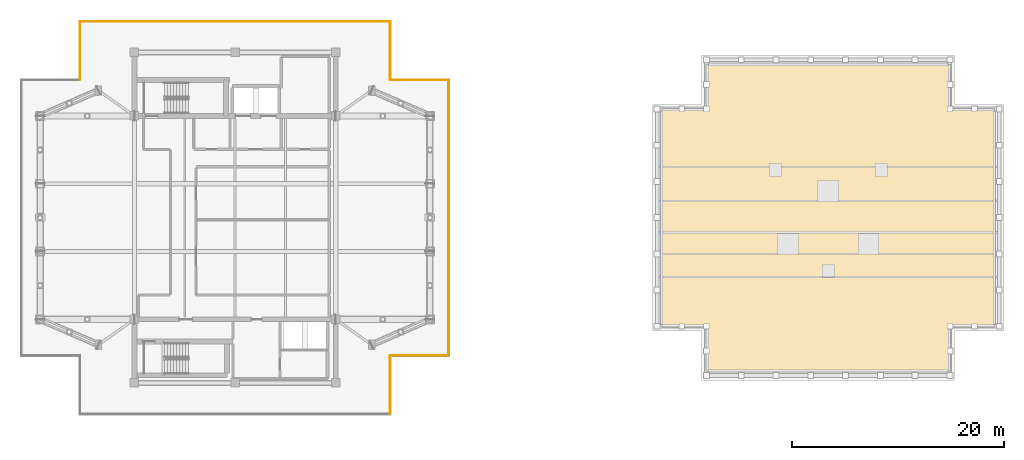
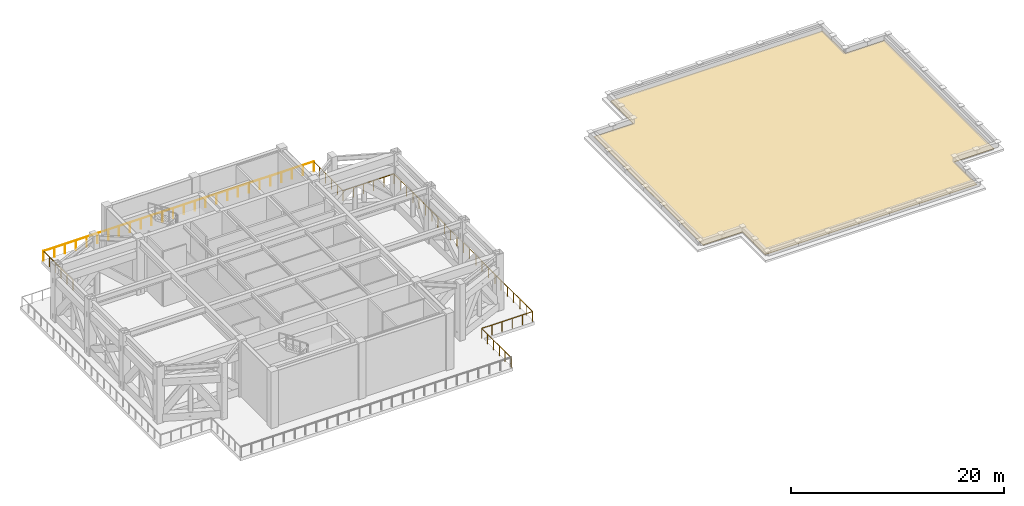
# One storey, part 11 of 11: 7 railings, 1 covering.
"""IFC4 building model written with IfcOpenShell, lengths in metres."""

from ifc_helpers import new_model, si_unit, direction, frame, origin, origin_2d, place, context, subcontext, project, spatial, polyline, circle, outline, extrude, material, layer, layer_set, type_object, element, save


model = new_model("IFC4")

# Units and contexts
model_context = context("Model", 3, precision=1e-05, world=origin(), true_north=direction((0.0, 1.0)))
body_context = subcontext(model_context, "Body", "Model", "MODEL_VIEW")
ifc_project = project(units=[si_unit("LENGTHUNIT", "METRE"), si_unit("AREAUNIT", "SQUARE_METRE"), si_unit("VOLUMEUNIT", "CUBIC_METRE"), si_unit("PLANEANGLEUNIT", "RADIAN"), si_unit("MASSUNIT", "GRAM", prefix="KILO")], contexts=[model_context])

# Site, building, storey
site_placement = place(None, origin())
site = spatial("IfcSite", under=ifc_project, at=site_placement, CompositionType="ELEMENT")
building_placement = place(site_placement, origin())
building = spatial("IfcBuilding", under=site, at=building_placement, Name="Mirazonda Arch Towers", CompositionType="ELEMENT")
storey_placement = place(building_placement, frame((0.0, 0.0, 212.89990234375)))
storey = spatial("IfcBuildingStorey", under=building, at=storey_placement, Name="L61", CompositionType="ELEMENT", Elevation=212.89990234375)

# Covering
ifc_material_1 = material(Name="EPDM Waterproofing Membrane")
ifc_layer = layer(ifc_material_1, 0.06005859375, Name="COV-ROOF-EPDM")
ifc_layer_set = layer_set([ifc_layer], Name="EPDM Waterproofing Membrane")
covering_type = type_object("IfcCoveringType", Name="COV-ROOF-EPDM", PredefinedType="ROOFING", material=ifc_layer_set)
covering_placement = place(storey_placement, origin())
element("IfcCovering", 1, at=covering_placement, inside=storey, type_object=covering_type, Name="T2 Crown Roof EPDM Membrane Covering", PredefinedType="ROOFING", context=body_context, shape_type="SweptSolid", body=[
    extrude(outline(polyline([(65.01220703125, 13.491455078125), (87.98779296875, 13.491455078125), (87.98779296875, 17.751220703125), (92.24755859375, 17.751220703125), (92.24755859375, 38.248779296875), (87.98779296875, 38.248779296875), (87.98779296875, 42.508544921875), (65.01220703125, 42.508544921875), (65.01220703125, 38.248779296875), (60.75244140625, 38.248779296875), (60.75244140625, 17.751220703125), (65.01220703125, 17.751220703125), (65.01220703125, 13.491455078125)])), origin(), (0.0, 0.0, 1.0), 0.06005859375),
])

# Railings
ifc_material_2 = material(Name="Architectural Brushed Steel S355", Category="steel")
railing_type = type_object("IfcRailingType", Name="GUARD-EXT-1150", PredefinedType="GUARDRAIL", material=ifc_material_2)
railing_1_placement = place(storey_placement, frame((35.14990234375, 9.47998046875, 0.0)))
element("IfcRailing", 2, at=railing_1_placement, inside=storey, type_object=railing_type, Name="L61 T1 Open Wind-Portal Perimeter Guard 02", PredefinedType="GUARDRAIL", context=body_context, shape_type="SweptSolid", body=[
    extrude(circle(Radius=0.02392578125, at=origin_2d()), frame((0.0, 0.0, 1.1259765625), z_axis=(0.0, 1.0, 0.0), x_axis=(-1.0, 0.0, 0.0)), (0.0, 0.0, 1.0), 5.510009765625),
    extrude(circle(Radius=0.02099609375, at=origin_2d()), origin(), (0.0, 0.0, 1.0), 1.101806640625),
    extrude(circle(Radius=0.02099609375, at=origin_2d()), frame((0.0, 1.10205078125, 0.0)), (0.0, 0.0, 1.0), 1.101806640625),
    extrude(circle(Radius=0.02099609375, at=origin_2d()), frame((0.0, 2.2041015625, 0.0)), (0.0, 0.0, 1.0), 1.101806640625),
    extrude(circle(Radius=0.02099609375, at=origin_2d()), frame((0.0, 3.305908203125, 0.0)), (0.0, 0.0, 1.0), 1.101806640625),
    extrude(circle(Radius=0.02099609375, at=origin_2d()), frame((0.0, 4.407958984375, 0.0)), (0.0, 0.0, 1.0), 1.101806640625),
    extrude(circle(Radius=0.02099609375, at=origin_2d()), frame((0.0, 5.510009765625, 0.0)), (0.0, 0.0, 1.0), 1.101806640625),
])
railing_2_placement = place(storey_placement, frame((35.14990234375, 14.989990234375, 0.0)))
element("IfcRailing", 3, at=railing_2_placement, inside=storey, type_object=railing_type, Name="L61 T1 Open Wind-Portal Perimeter Guard 03", PredefinedType="GUARDRAIL", context=body_context, shape_type="SweptSolid", body=[
    extrude(circle(Radius=0.02392578125, at=origin_2d()), frame((0.0, 0.0, 1.1259765625), z_axis=(1.0, 0.0, 0.0), x_axis=(0.0, 1.0, 0.0)), (0.0, 0.0, 1.0), 5.510009765625),
    extrude(circle(Radius=0.02099609375, at=origin_2d()), origin(), (0.0, 0.0, 1.0), 1.101806640625),
    extrude(circle(Radius=0.02099609375, at=origin_2d()), frame((1.10205078125, 0.0, 0.0)), (0.0, 0.0, 1.0), 1.101806640625),
    extrude(circle(Radius=0.02099609375, at=origin_2d()), frame((2.2041015625, 0.0, 0.0)), (0.0, 0.0, 1.0), 1.101806640625),
    extrude(circle(Radius=0.02099609375, at=origin_2d()), frame((3.305908203125, 0.0, 0.0)), (0.0, 0.0, 1.0), 1.101806640625),
    extrude(circle(Radius=0.02099609375, at=origin_2d()), frame((4.407958984375, 0.0, 0.0)), (0.0, 0.0, 1.0), 1.101806640625),
    extrude(circle(Radius=0.02099609375, at=origin_2d()), frame((5.510009765625, 0.0, 0.0)), (0.0, 0.0, 1.0), 1.101806640625),
])
railing_3_placement = place(storey_placement, frame((40.659912109375, 14.989990234375, 0.0)))
element("IfcRailing", 4, at=railing_3_placement, inside=storey, type_object=railing_type, Name="L61 T1 Open Wind-Portal Perimeter Guard 04", PredefinedType="GUARDRAIL", context=body_context, shape_type="SweptSolid", body=[
    extrude(circle(Radius=0.02392578125, at=origin_2d()), frame((0.0, 0.0, 1.1259765625), z_axis=(0.0, 1.0, 0.0), x_axis=(-1.0, 0.0, 0.0)), (0.0, 0.0, 1.0), 26.02001953125),
    extrude(circle(Radius=0.02099609375, at=origin_2d()), origin(), (0.0, 0.0, 1.0), 1.101806640625),
    extrude(circle(Radius=0.02099609375, at=origin_2d()), frame((0.0, 1.1826171875, 0.0)), (0.0, 0.0, 1.0), 1.101806640625),
    extrude(circle(Radius=0.02099609375, at=origin_2d()), frame((0.0, 2.365478515625, 0.0)), (0.0, 0.0, 1.0), 1.101806640625),
    extrude(circle(Radius=0.02099609375, at=origin_2d()), frame((0.0, 3.548095703125, 0.0)), (0.0, 0.0, 1.0), 1.101806640625),
    extrude(circle(Radius=0.02099609375, at=origin_2d()), frame((0.0, 4.73095703125, 0.0)), (0.0, 0.0, 1.0), 1.101806640625),
    extrude(circle(Radius=0.02099609375, at=origin_2d()), frame((0.0, 5.91357421875, 0.0)), (0.0, 0.0, 1.0), 1.101806640625),
    extrude(circle(Radius=0.02099609375, at=origin_2d()), frame((0.0, 7.096435546875, 0.0)), (0.0, 0.0, 1.0), 1.101806640625),
    extrude(circle(Radius=0.02099609375, at=origin_2d()), frame((0.0, 8.279052734375, 0.0)), (0.0, 0.0, 1.0), 1.101806640625),
    extrude(circle(Radius=0.02099609375, at=origin_2d()), frame((0.0, 9.4619140625, 0.0)), (0.0, 0.0, 1.0), 1.101806640625),
    extrude(circle(Radius=0.02099609375, at=origin_2d()), frame((0.0, 10.64453125, 0.0)), (0.0, 0.0, 1.0), 1.101806640625),
    extrude(circle(Radius=0.02099609375, at=origin_2d()), frame((0.0, 11.827392578125, 0.0)), (0.0, 0.0, 1.0), 1.101806640625),
    extrude(circle(Radius=0.02099609375, at=origin_2d()), frame((0.0, 13.010009765625, 0.0)), (0.0, 0.0, 1.0), 1.101806640625),
    extrude(circle(Radius=0.02099609375, at=origin_2d()), frame((0.0, 14.192626953125, 0.0)), (0.0, 0.0, 1.0), 1.101806640625),
    extrude(circle(Radius=0.02099609375, at=origin_2d()), frame((0.0, 15.37548828125, 0.0)), (0.0, 0.0, 1.0), 1.101806640625),
    extrude(circle(Radius=0.02099609375, at=origin_2d()), frame((0.0, 16.55810546875, 0.0)), (0.0, 0.0, 1.0), 1.101806640625),
    extrude(circle(Radius=0.02099609375, at=origin_2d()), frame((0.0, 17.740966796875, 0.0)), (0.0, 0.0, 1.0), 1.101806640625),
    extrude(circle(Radius=0.02099609375, at=origin_2d()), frame((0.0, 18.923583984375, 0.0)), (0.0, 0.0, 1.0), 1.101806640625),
    extrude(circle(Radius=0.02099609375, at=origin_2d()), frame((0.0, 20.1064453125, 0.0)), (0.0, 0.0, 1.0), 1.101806640625),
    extrude(circle(Radius=0.02099609375, at=origin_2d()), frame((0.0, 21.2890625, 0.0)), (0.0, 0.0, 1.0), 1.101806640625),
    extrude(circle(Radius=0.02099609375, at=origin_2d()), frame((0.0, 22.471923828125, 0.0)), (0.0, 0.0, 1.0), 1.101806640625),
    extrude(circle(Radius=0.02099609375, at=origin_2d()), frame((0.0, 23.654541015625, 0.0)), (0.0, 0.0, 1.0), 1.101806640625),
    extrude(circle(Radius=0.02099609375, at=origin_2d()), frame((0.0, 24.83740234375, 0.0)), (0.0, 0.0, 1.0), 1.101806640625),
    extrude(circle(Radius=0.02099609375, at=origin_2d()), frame((0.0, 26.02001953125, 0.0)), (0.0, 0.0, 1.0), 1.101806640625),
])
railing_4_placement = place(storey_placement, frame((40.659912109375, 41.010009765625, 0.0)))
element("IfcRailing", 5, at=railing_4_placement, inside=storey, type_object=railing_type, Name="L61 T1 Open Wind-Portal Perimeter Guard 05", PredefinedType="GUARDRAIL", context=body_context, shape_type="SweptSolid", body=[
    extrude(circle(Radius=0.02392578125, at=origin_2d()), frame((0.0, 0.0, 1.1259765625), z_axis=(-1.0, 0.0, 0.0), x_axis=(0.0, -1.0, 0.0)), (0.0, 0.0, 1.0), 5.510009765625),
    extrude(circle(Radius=0.02099609375, at=origin_2d()), origin(), (0.0, 0.0, 1.0), 1.101806640625),
    extrude(circle(Radius=0.02099609375, at=origin_2d()), frame((-1.10205078125, 0.0, 0.0)), (0.0, 0.0, 1.0), 1.101806640625),
    extrude(circle(Radius=0.02099609375, at=origin_2d()), frame((-2.2041015625, 0.0, 0.0)), (0.0, 0.0, 1.0), 1.101806640625),
    extrude(circle(Radius=0.02099609375, at=origin_2d()), frame((-3.305908203125, 0.0, 0.0)), (0.0, 0.0, 1.0), 1.101806640625),
    extrude(circle(Radius=0.02099609375, at=origin_2d()), frame((-4.407958984375, 0.0, 0.0)), (0.0, 0.0, 1.0), 1.101806640625),
    extrude(circle(Radius=0.02099609375, at=origin_2d()), frame((-5.510009765625, 0.0, 0.0)), (0.0, 0.0, 1.0), 1.101806640625),
])
railing_5_placement = place(storey_placement, frame((35.14990234375, 41.010009765625, 0.0)))
element("IfcRailing", 6, at=railing_5_placement, inside=storey, type_object=railing_type, Name="L61 T1 Open Wind-Portal Perimeter Guard 06", PredefinedType="GUARDRAIL", context=body_context, shape_type="SweptSolid", body=[
    extrude(circle(Radius=0.02392578125, at=origin_2d()), frame((0.0, 0.0, 1.1259765625), z_axis=(0.0, 1.0, 0.0), x_axis=(-1.0, 0.0, 0.0)), (0.0, 0.0, 1.0), 5.510009765625),
    extrude(circle(Radius=0.02099609375, at=origin_2d()), origin(), (0.0, 0.0, 1.0), 1.101806640625),
    extrude(circle(Radius=0.02099609375, at=origin_2d()), frame((0.0, 1.10205078125, 0.0)), (0.0, 0.0, 1.0), 1.101806640625),
    extrude(circle(Radius=0.02099609375, at=origin_2d()), frame((0.0, 2.2041015625, 0.0)), (0.0, 0.0, 1.0), 1.101806640625),
    extrude(circle(Radius=0.02099609375, at=origin_2d()), frame((0.0, 3.305908203125, 0.0)), (0.0, 0.0, 1.0), 1.101806640625),
    extrude(circle(Radius=0.02099609375, at=origin_2d()), frame((0.0, 4.407958984375, 0.0)), (0.0, 0.0, 1.0), 1.101806640625),
    extrude(circle(Radius=0.02099609375, at=origin_2d()), frame((0.0, 5.510009765625, 0.0)), (0.0, 0.0, 1.0), 1.101806640625),
])
railing_6_placement = place(storey_placement, frame((35.14990234375, 46.52001953125, 0.0)))
element("IfcRailing", 7, at=railing_6_placement, inside=storey, type_object=railing_type, Name="L61 T1 Open Wind-Portal Perimeter Guard 07", PredefinedType="GUARDRAIL", context=body_context, shape_type="SweptSolid", body=[
    extrude(circle(Radius=0.02392578125, at=origin_2d()), frame((0.0, 0.0, 1.1259765625), z_axis=(-1.0, 0.0, 0.0), x_axis=(0.0, -1.0, 0.0)), (0.0, 0.0, 1.0), 29.2998046875),
    extrude(circle(Radius=0.02099609375, at=origin_2d()), origin(), (0.0, 0.0, 1.0), 1.101806640625),
    extrude(circle(Radius=0.02099609375, at=origin_2d()), frame((-1.171875, 0.0, 0.0)), (0.0, 0.0, 1.0), 1.101806640625),
    extrude(circle(Radius=0.02099609375, at=origin_2d()), frame((-2.343994140625, 0.0, 0.0)), (0.0, 0.0, 1.0), 1.101806640625),
    extrude(circle(Radius=0.02099609375, at=origin_2d()), frame((-3.515869140625, 0.0, 0.0)), (0.0, 0.0, 1.0), 1.101806640625),
    extrude(circle(Radius=0.02099609375, at=origin_2d()), frame((-4.68798828125, 0.0, 0.0)), (0.0, 0.0, 1.0), 1.101806640625),
    extrude(circle(Radius=0.02099609375, at=origin_2d()), frame((-5.85986328125, 0.0, 0.0)), (0.0, 0.0, 1.0), 1.101806640625),
    extrude(circle(Radius=0.02099609375, at=origin_2d()), frame((-7.031982421875, 0.0, 0.0)), (0.0, 0.0, 1.0), 1.101806640625),
    extrude(circle(Radius=0.02099609375, at=origin_2d()), frame((-8.203857421875, 0.0, 0.0)), (0.0, 0.0, 1.0), 1.101806640625),
    extrude(circle(Radius=0.02099609375, at=origin_2d()), frame((-9.3759765625, 0.0, 0.0)), (0.0, 0.0, 1.0), 1.101806640625),
    extrude(circle(Radius=0.02099609375, at=origin_2d()), frame((-10.5478515625, 0.0, 0.0)), (0.0, 0.0, 1.0), 1.101806640625),
    extrude(circle(Radius=0.02099609375, at=origin_2d()), frame((-11.719970703125, 0.0, 0.0)), (0.0, 0.0, 1.0), 1.101806640625),
    extrude(circle(Radius=0.02099609375, at=origin_2d()), frame((-12.891845703125, 0.0, 0.0)), (0.0, 0.0, 1.0), 1.101806640625),
    extrude(circle(Radius=0.02099609375, at=origin_2d()), frame((-14.06396484375, 0.0, 0.0)), (0.0, 0.0, 1.0), 1.101806640625),
    extrude(circle(Radius=0.02099609375, at=origin_2d()), frame((-15.23583984375, 0.0, 0.0)), (0.0, 0.0, 1.0), 1.101806640625),
    extrude(circle(Radius=0.02099609375, at=origin_2d()), frame((-16.407958984375, 0.0, 0.0)), (0.0, 0.0, 1.0), 1.101806640625),
    extrude(circle(Radius=0.02099609375, at=origin_2d()), frame((-17.579833984375, 0.0, 0.0)), (0.0, 0.0, 1.0), 1.101806640625),
    extrude(circle(Radius=0.02099609375, at=origin_2d()), frame((-18.751953125, 0.0, 0.0)), (0.0, 0.0, 1.0), 1.101806640625),
    extrude(circle(Radius=0.02099609375, at=origin_2d()), frame((-19.923828125, 0.0, 0.0)), (0.0, 0.0, 1.0), 1.101806640625),
    extrude(circle(Radius=0.02099609375, at=origin_2d()), frame((-21.095947265625, 0.0, 0.0)), (0.0, 0.0, 1.0), 1.101806640625),
    extrude(circle(Radius=0.02099609375, at=origin_2d()), frame((-22.267822265625, 0.0, 0.0)), (0.0, 0.0, 1.0), 1.101806640625),
    extrude(circle(Radius=0.02099609375, at=origin_2d()), frame((-23.43994140625, 0.0, 0.0)), (0.0, 0.0, 1.0), 1.101806640625),
    extrude(circle(Radius=0.02099609375, at=origin_2d()), frame((-24.61181640625, 0.0, 0.0)), (0.0, 0.0, 1.0), 1.101806640625),
    extrude(circle(Radius=0.02099609375, at=origin_2d()), frame((-25.783935546875, 0.0, 0.0)), (0.0, 0.0, 1.0), 1.101806640625),
    extrude(circle(Radius=0.02099609375, at=origin_2d()), frame((-26.955810546875, 0.0, 0.0)), (0.0, 0.0, 1.0), 1.101806640625),
    extrude(circle(Radius=0.02099609375, at=origin_2d()), frame((-28.1279296875, 0.0, 0.0)), (0.0, 0.0, 1.0), 1.101806640625),
    extrude(circle(Radius=0.02099609375, at=origin_2d()), frame((-29.2998046875, 0.0, 0.0)), (0.0, 0.0, 1.0), 1.101806640625),
])
railing_7_placement = place(storey_placement, frame((5.85009765625, 46.52001953125, 0.0)))
element("IfcRailing", 8, at=railing_7_placement, inside=storey, type_object=railing_type, Name="L61 T1 Open Wind-Portal Perimeter Guard 08", PredefinedType="GUARDRAIL", context=body_context, shape_type="SweptSolid", body=[
    extrude(circle(Radius=0.02392578125, at=origin_2d()), frame((0.0, 0.0, 1.1259765625), z_axis=(0.0, -1.0, 0.0), x_axis=(1.0, 0.0, 0.0)), (0.0, 0.0, 1.0), 5.510009765625),
    extrude(circle(Radius=0.02099609375, at=origin_2d()), origin(), (0.0, 0.0, 1.0), 1.101806640625),
    extrude(circle(Radius=0.02099609375, at=origin_2d()), frame((0.0, -1.10205078125, 0.0)), (0.0, 0.0, 1.0), 1.101806640625),
    extrude(circle(Radius=0.02099609375, at=origin_2d()), frame((0.0, -2.2041015625, 0.0)), (0.0, 0.0, 1.0), 1.101806640625),
    extrude(circle(Radius=0.02099609375, at=origin_2d()), frame((0.0, -3.305908203125, 0.0)), (0.0, 0.0, 1.0), 1.101806640625),
    extrude(circle(Radius=0.02099609375, at=origin_2d()), frame((0.0, -4.407958984375, 0.0)), (0.0, 0.0, 1.0), 1.101806640625),
    extrude(circle(Radius=0.02099609375, at=origin_2d()), frame((0.0, -5.510009765625, 0.0)), (0.0, 0.0, 1.0), 1.101806640625),
])

save(model, "model.ifc")
